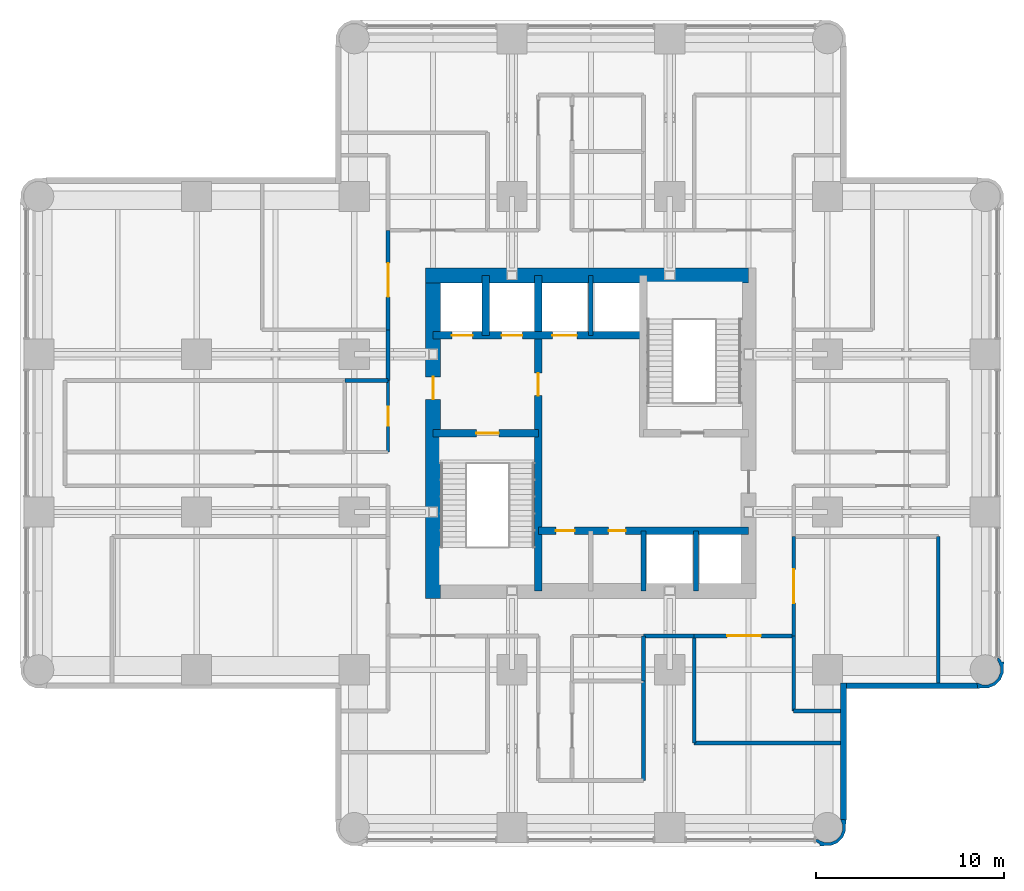
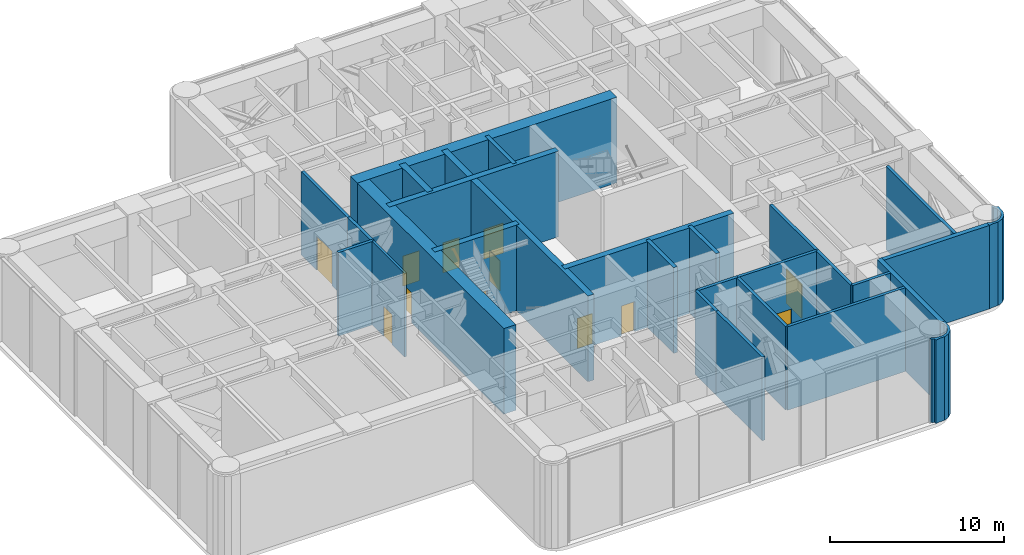
# One storey, part 8 of 12: 28 walls, 12 doors, 12 openings.
"""IFC4 building model written with IfcOpenShell, lengths in metres."""

from ifc_helpers import new_model, si_unit, direction, frame, frame_2d, origin, place, context, subcontext, project, spatial, polyline, rectangle, outline, extrude, material, layer, layer_set, type_object, element, fill, save


model = new_model("IFC4")

# Units and contexts
model_context = context("Model", 3, precision=1e-05, world=origin(), true_north=direction((0.0, 1.0)))
body_context = subcontext(model_context, "Body", "Model", "MODEL_VIEW")
ifc_project = project(units=[si_unit("LENGTHUNIT", "METRE"), si_unit("AREAUNIT", "SQUARE_METRE"), si_unit("VOLUMEUNIT", "CUBIC_METRE"), si_unit("PLANEANGLEUNIT", "RADIAN"), si_unit("MASSUNIT", "GRAM", prefix="KILO")], contexts=[model_context])

# Site, building, storey
site_placement = place(None, origin())
site = spatial("IfcSite", under=ifc_project, at=site_placement, CompositionType="ELEMENT")
building_placement = place(site_placement, origin())
building = spatial("IfcBuilding", under=site, at=building_placement, Name="Torre Alcanfor", CompositionType="ELEMENT")
storey_placement = place(building_placement, frame((0.0, 0.0, 248.10009765625)))
storey = spatial("IfcBuildingStorey", under=building, at=storey_placement, Name="L65", CompositionType="ELEMENT", Elevation=248.10009765625)

# Wall, opening, door
ifc_material_1 = material(Name="Concrete f'c 70 MPa", Category="concrete")
ifc_layer_1 = layer(ifc_material_1, 0.39990234375)
ifc_layer_set_1 = layer_set([ifc_layer_1], Name="Core inner wall 400 f'c70")
wall_type_1 = type_object("IfcWallType", Name="Core inner wall 400 f'c70", PredefinedType="SHEAR", material=ifc_layer_set_1)
wall_1_placement = place(storey_placement, frame((26.60009765625, 21.0, 0.0), z_axis=(0.0, 0.0, 1.0), x_axis=(0.0, 1.0, 0.0)))
wall_1 = element("IfcWall", 1, at=wall_1_placement, inside=storey, type_object=wall_type_1, Name="Core wall X266 L65", PredefinedType="SHEAR", context=body_context, shape_type="SweptSolid", body=[
    extrude(rectangle(XDim=16.800048828125, YDim=0.39990234375, at=frame_2d((8.39990234375, 0.0))), origin(), (0.0, 0.0, 1.0), 6.0),
])
opening_1_placement = place(wall_1_placement, frame((10.39990234375, 0.0, 0.0)))
opening_1 = element("IfcOpeningElement", 2, at=opening_1_placement, cuts=wall_1, Name="Opening D-L1", PredefinedType="OPENING", context=body_context, shape_type="SweptSolid", body=[
    extrude(rectangle(XDim=1.199951171875, YDim=2.10009765625, at=frame_2d((0.60009765625, 1.050048828125))), frame((0.0, 0.2099609375, 0.0), z_axis=(0.0, -1.0, 0.0), x_axis=(1.0, 0.0, 0.0)), (0.0, 0.0, 1.0), 0.419921875),
])
ifc_material_2 = material(Name="Galvanised steel sheet ASTM A653", Category="steel")
door_type_1 = type_object("IfcDoorType", Name="Lobby door FD120 1200x2100", OperationType="SINGLE_SWING_LEFT", PredefinedType="DOOR", material=ifc_material_2)
door_1_placement = place(opening_1_placement, origin())
door_1 = element("IfcDoor", 3, at=door_1_placement, inside=storey, type_object=door_type_1, Name="Lift lobby door L65", OperationType="SINGLE_SWING_LEFT", OverallHeight=2.10009765625, OverallWidth=1.199951171875, PredefinedType="DOOR", context=body_context, shape_type="SweptSolid", body=[
    extrude(rectangle(XDim=1.199951171875, YDim=2.10009765625, at=frame_2d((0.60009765625, 1.050048828125))), frame((0.0, 0.02490234375, 0.0), z_axis=(0.0, -1.0, 0.0), x_axis=(1.0, 0.0, 0.0)), (0.0, 0.0, 1.0), 0.050048828125),
])
fill(opening_1, door_1)

wall_2_placement = place(storey_placement, frame((21.0, 29.39990234375, 0.0), z_axis=(0.0, 0.0, 1.0), x_axis=(1.0, 0.0, 0.0)))
wall_2 = element("IfcWall", 4, at=wall_2_placement, inside=storey, type_object=wall_type_1, Name="Core wall Y294W L65", PredefinedType="SHEAR", context=body_context, shape_type="SweptSolid", body=[
    extrude(rectangle(XDim=5.60009765625, YDim=0.39990234375, at=frame_2d((2.800048828125, 0.0))), origin(), (0.0, 0.0, 1.0), 6.0),
])
opening_2_placement = place(wall_2_placement, frame((2.300048828125, 0.0, 0.0)))
opening_2 = element("IfcOpeningElement", 5, at=opening_2_placement, cuts=wall_2, Name="Opening D-S2", PredefinedType="OPENING", context=body_context, shape_type="SweptSolid", body=[
    extrude(rectangle(XDim=1.199951171875, YDim=2.10009765625, at=frame_2d((0.60009765625, 1.050048828125))), frame((0.0, 0.2099609375, 0.0), z_axis=(0.0, -1.0, 0.0), x_axis=(1.0, 0.0, 0.0)), (0.0, 0.0, 1.0), 0.419921875),
])
ifc_material_3 = material(Name="Galvanised steel sheet ASTM A653", Category="steel")
door_type_2 = type_object("IfcDoorType", Name="Stair enclosure door FD120 1200x2100", OperationType="SINGLE_SWING_LEFT", PredefinedType="DOOR", material=ifc_material_3)
door_2_placement = place(opening_2_placement, frame((1.199951171875, 0.0, 0.0), z_axis=(0.0, 0.0, 1.0), x_axis=(-1.0, 0.0, 0.0)))
door_2 = element("IfcDoor", 6, at=door_2_placement, inside=storey, type_object=door_type_2, Name="Stair S1 door L65", OperationType="SINGLE_SWING_LEFT", OverallHeight=2.10009765625, OverallWidth=1.199951171875, PredefinedType="DOOR", context=body_context, shape_type="SweptSolid", body=[
    extrude(rectangle(XDim=1.199951171875, YDim=2.10009765625, at=frame_2d((0.599853515625, 1.050048828125))), frame((0.0, 0.025146484375, 0.0), z_axis=(0.0, -1.0, 0.0), x_axis=(1.0, 0.0, 0.0)), (0.0, 0.0, 1.0), 0.050048828125),
])
fill(opening_2, door_2)

# Wall, openings, doors
wall_3_placement = place(storey_placement, frame((21.0, 34.60009765625, 0.0), z_axis=(0.0, 0.0, 1.0), x_axis=(1.0, 0.0, 0.0)))
wall_3 = element("IfcWall", 7, at=wall_3_placement, inside=storey, type_object=wall_type_1, Name="Core wall Y346 L65", PredefinedType="SHEAR", context=body_context, shape_type="SweptSolid", body=[
    extrude(rectangle(XDim=11.199951171875, YDim=0.39990234375, at=frame_2d((5.60009765625, 0.0))), origin(), (0.0, 0.0, 1.0), 6.0),
])
opening_3_placement = place(wall_3_placement, frame((1.0, 0.0, 0.0)))
opening_3 = element("IfcOpeningElement", 8, at=opening_3_placement, cuts=wall_3, Name="Opening LD2", PredefinedType="OPENING", context=body_context, shape_type="SweptSolid", body=[
    extrude(rectangle(XDim=1.10009765625, YDim=2.10009765625, at=frame_2d((0.550048828125, 1.050048828125))), frame((0.0, 0.2099609375, 0.0), z_axis=(0.0, -1.0, 0.0), x_axis=(1.0, 0.0, 0.0)), (0.0, 0.0, 1.0), 0.419921875),
])
opening_4_placement = place(wall_3_placement, frame((3.64990234375, 0.0, 0.0)))
opening_4 = element("IfcOpeningElement", 9, at=opening_4_placement, cuts=wall_3, Name="Opening LD2", PredefinedType="OPENING", context=body_context, shape_type="SweptSolid", body=[
    extrude(rectangle(XDim=1.10009765625, YDim=2.10009765625, at=frame_2d((0.550048828125, 1.050048828125))), frame((0.0, 0.2099609375, 0.0), z_axis=(0.0, -1.0, 0.0), x_axis=(1.0, 0.0, 0.0)), (0.0, 0.0, 1.0), 0.419921875),
])
opening_5_placement = place(wall_3_placement, frame((6.35009765625, 0.0, 0.0)))
opening_5 = element("IfcOpeningElement", 10, at=opening_5_placement, cuts=wall_3, Name="Opening LD3", PredefinedType="OPENING", context=body_context, shape_type="SweptSolid", body=[
    extrude(rectangle(XDim=1.300048828125, YDim=2.10009765625, at=frame_2d((0.64990234375, 1.050048828125))), frame((0.0, 0.2099609375, 0.0), z_axis=(0.0, -1.0, 0.0), x_axis=(1.0, 0.0, 0.0)), (0.0, 0.0, 1.0), 0.419921875),
])
ifc_material_4 = material(Name="Galvanised steel sheet ASTM A653", Category="steel")
door_type_3 = type_object("IfcDoorType", Name="Firefighting lift landing door 1100x2100", OperationType="DOUBLE_DOOR_SLIDING", PredefinedType="DOOR", material=ifc_material_4)
door_3_placement = place(opening_3_placement, origin())
door_3 = element("IfcDoor", 11, at=door_3_placement, inside=storey, type_object=door_type_3, Name="Lift landing door FL1 L65", OperationType="DOUBLE_DOOR_SLIDING", OverallHeight=2.10009765625, OverallWidth=1.10009765625, PredefinedType="DOOR", context=body_context, shape_type="SweptSolid", body=[
    extrude(rectangle(XDim=1.10009765625, YDim=2.10009765625, at=frame_2d((0.550048828125, 1.050048828125))), frame((0.0, 0.02490234375, 0.0), z_axis=(0.0, -1.0, 0.0), x_axis=(1.0, 0.0, 0.0)), (0.0, 0.0, 1.0), 0.050048828125),
])
fill(opening_3, door_3)
door_4_placement = place(opening_4_placement, origin())
door_4 = element("IfcDoor", 12, at=door_4_placement, inside=storey, type_object=door_type_3, Name="Lift landing door FL2 L65", OperationType="DOUBLE_DOOR_SLIDING", OverallHeight=2.10009765625, OverallWidth=1.10009765625, PredefinedType="DOOR", context=body_context, shape_type="SweptSolid", body=[
    extrude(rectangle(XDim=1.10009765625, YDim=2.10009765625, at=frame_2d((0.550048828125, 1.050048828125))), frame((0.0, 0.02490234375, 0.0), z_axis=(0.0, -1.0, 0.0), x_axis=(1.0, 0.0, 0.0)), (0.0, 0.0, 1.0), 0.050048828125),
])
fill(opening_4, door_4)
ifc_material_5 = material(Name="Galvanised steel sheet ASTM A653", Category="steel")
door_type_4 = type_object("IfcDoorType", Name="Service lift landing door 1300x2100", OperationType="DOUBLE_DOOR_SLIDING", PredefinedType="DOOR", material=ifc_material_5)
door_5_placement = place(opening_5_placement, origin())
door_5 = element("IfcDoor", 13, at=door_5_placement, inside=storey, type_object=door_type_4, Name="Lift landing door SL1 L65", OperationType="DOUBLE_DOOR_SLIDING", OverallHeight=2.10009765625, OverallWidth=1.300048828125, PredefinedType="DOOR", context=body_context, shape_type="SweptSolid", body=[
    extrude(rectangle(XDim=1.300048828125, YDim=2.10009765625, at=frame_2d((0.64990234375, 1.050048828125))), frame((0.0, 0.02490234375, 0.0), z_axis=(0.0, -1.0, 0.0), x_axis=(1.0, 0.0, 0.0)), (0.0, 0.0, 1.0), 0.050048828125),
])
fill(opening_5, door_5)

# Wall
wall_4_placement = place(storey_placement, frame((23.800048828125, 34.60009765625, 0.0), z_axis=(0.0, 0.0, 1.0), x_axis=(0.0, 1.0, 0.0)))
element("IfcWall", 14, at=wall_4_placement, inside=storey, type_object=wall_type_1, Name="Core wall X238 L65", PredefinedType="SHEAR", context=body_context, shape_type="SweptSolid", body=[
    extrude(rectangle(XDim=3.199951171875, YDim=0.39990234375, at=frame_2d((1.60009765625, 0.0))), origin(), (0.0, 0.0, 1.0), 6.0),
])

# Wall, openings, doors
wall_5_placement = place(storey_placement, frame((26.60009765625, 24.199951171875, 0.0), z_axis=(0.0, 0.0, 1.0), x_axis=(1.0, 0.0, 0.0)))
wall_5 = element("IfcWall", 15, at=wall_5_placement, inside=storey, type_object=wall_type_1, Name="Core wall Y242 L65", PredefinedType="SHEAR", context=body_context, shape_type="SweptSolid", body=[
    extrude(rectangle(XDim=11.199951171875, YDim=0.39990234375, at=frame_2d((5.60009765625, 0.0))), origin(), (0.0, 0.0, 1.0), 6.0),
])
opening_6_placement = place(wall_5_placement, frame((0.9375, 0.0, 0.0)))
opening_6 = element("IfcOpeningElement", 16, at=opening_6_placement, cuts=wall_5, Name="Opening D-K1", PredefinedType="OPENING", context=body_context, shape_type="SweptSolid", body=[
    extrude(rectangle(XDim=1.0, YDim=2.10009765625, at=frame_2d((0.5, 1.050048828125))), frame((0.0, 0.2099609375, 0.0), z_axis=(0.0, -1.0, 0.0), x_axis=(1.0, 0.0, 0.0)), (0.0, 0.0, 1.0), 0.419921875),
])
opening_7_placement = place(wall_5_placement, frame((3.75, 0.0, 0.0)))
opening_7 = element("IfcOpeningElement", 17, at=opening_7_placement, cuts=wall_5, Name="Opening D-Q1", PredefinedType="OPENING", context=body_context, shape_type="SweptSolid", body=[
    extrude(rectangle(XDim=0.89990234375, YDim=2.10009765625, at=frame_2d((0.449951171875, 1.050048828125))), frame((0.0, 0.2099609375, 0.0), z_axis=(0.0, -1.0, 0.0), x_axis=(1.0, 0.0, 0.0)), (0.0, 0.0, 1.0), 0.419921875),
])
ifc_material_6 = material(Name="Galvanised steel sheet ASTM A653", Category="steel")
door_type_5 = type_object("IfcDoorType", Name="Core room door FD60 1000x2100", OperationType="SINGLE_SWING_LEFT", PredefinedType="DOOR", material=ifc_material_6)
door_6_placement = place(opening_6_placement, frame((1.0, 0.0, 0.0), z_axis=(0.0, 0.0, 1.0), x_axis=(-1.0, 0.0, 0.0)))
door_6 = element("IfcDoor", 18, at=door_6_placement, inside=storey, type_object=door_type_5, Name="Refuge store door L65", OperationType="SINGLE_SWING_RIGHT", OverallHeight=2.10009765625, OverallWidth=1.0, PredefinedType="DOOR", context=body_context, shape_type="SweptSolid", body=[
    extrude(rectangle(XDim=1.0, YDim=2.10009765625, at=frame_2d((0.5, 1.050048828125))), frame((0.0, 0.025146484375, 0.0), z_axis=(0.0, -1.0, 0.0), x_axis=(1.0, 0.0, 0.0)), (0.0, 0.0, 1.0), 0.050048828125),
])
fill(opening_6, door_6)
ifc_material_7 = material(Name="Galvanised steel sheet ASTM A653", Category="steel")
door_type_6 = type_object("IfcDoorType", Name="Riser access door FD120 900x2100", OperationType="SINGLE_SWING_LEFT", PredefinedType="DOOR", material=ifc_material_7)
door_7_placement = place(opening_7_placement, frame((0.89990234375, 0.0, 0.0), z_axis=(0.0, 0.0, 1.0), x_axis=(-1.0, 0.0, 0.0)))
door_7 = element("IfcDoor", 19, at=door_7_placement, inside=storey, type_object=door_type_6, Name="Riser door L65", OperationType="SINGLE_SWING_RIGHT", OverallHeight=2.10009765625, OverallWidth=0.89990234375, PredefinedType="DOOR", context=body_context, shape_type="SweptSolid", body=[
    extrude(rectangle(XDim=0.89990234375, YDim=2.10009765625, at=frame_2d((0.449951171875, 1.050048828125))), frame((0.0, 0.025146484375, 0.0), z_axis=(0.0, -1.0, 0.0), x_axis=(1.0, 0.0, 0.0)), (0.0, 0.0, 1.0), 0.050048828125),
])
fill(opening_7, door_7)

# Walls
ifc_material_8 = material(Name="Concrete f'c 70 MPa", Category="concrete")
ifc_layer_2 = layer(ifc_material_8, 0.25)
ifc_layer_set_2 = layer_set([ifc_layer_2], Name="Core shaft wall 250 f'c70")
wall_type_2 = type_object("IfcWallType", Name="Core shaft wall 250 f'c70", PredefinedType="SHEAR", material=ifc_layer_set_2)
for number, where, z_axis, x_axis, name in (
    (20, (32.199951171875, 21.0, 0.0), (0.0, 0.0, 1.0), (0.0, 1.0, 0.0), "Core wall X322S L65"),
    (21, (35.0, 21.0, 0.0), (0.0, 0.0, 1.0), (0.0, 1.0, 0.0), "Core wall X350S L65"),
    (22, (29.39990234375, 34.60009765625, 0.0), (0.0, 0.0, 1.0), (0.0, 1.0, 0.0), "Core wall X294N L65"),
):
    element("IfcWall", number, at=place(storey_placement, frame(where, z_axis=z_axis, x_axis=x_axis)), inside=storey, type_object=wall_type_2, Name=name, PredefinedType="SHEAR", context=body_context, shape_type="SweptSolid", body=[
        extrude(rectangle(XDim=3.199951171875, YDim=0.25, at=frame_2d((1.60009765625, 0.0))), origin(), (0.0, 0.0, 1.0), 6.0),
    ])
ifc_material_9 = material(Name="Concrete f'c 70 MPa", Category="concrete")
ifc_layer_3 = layer(ifc_material_9, 0.800048828125)
ifc_layer_set_3 = layer_set([ifc_layer_3], Name="Core wall 800 f'c70")
wall_type_3 = type_object("IfcWallType", Name="Core wall 800 f'c70", PredefinedType="SHEAR", material=ifc_layer_set_3)
wall_6_placement = place(storey_placement, frame((37.800048828125, 37.800048828125, 0.0), z_axis=(0.0, 0.0, 1.0), x_axis=(-1.0, 0.0, 0.0)))
element("IfcWall", 23, at=wall_6_placement, inside=storey, type_object=wall_type_3, Name="Core wall OUT-N L65", PredefinedType="SHEAR", context=body_context, shape_type="SweptSolid", body=[
    extrude(rectangle(XDim=17.199951171875, YDim=0.800048828125, at=frame_2d((8.60009765625, 0.0))), origin(), (0.0, 0.0, 1.0), 6.0),
])

# Wall, opening, door
wall_7_placement = place(storey_placement, frame((21.0, 37.800048828125, 0.0), z_axis=(0.0, 0.0, 1.0), x_axis=(0.0, -1.0, 0.0)))
wall_7 = element("IfcWall", 24, at=wall_7_placement, inside=storey, type_object=wall_type_3, Name="Core wall OUT-W L65", PredefinedType="SHEAR", context=body_context, shape_type="SweptSolid", body=[
    extrude(rectangle(XDim=17.199951171875, YDim=0.800048828125, at=frame_2d((8.60009765625, 0.0))), origin(), (0.0, 0.0, 1.0), 6.0),
])
opening_8_placement = place(wall_7_placement, frame((5.39990234375, 0.0, 0.0)))
opening_8 = element("IfcOpeningElement", 25, at=opening_8_placement, cuts=wall_7, Name="Opening D-L1", PredefinedType="OPENING", context=body_context, shape_type="SweptSolid", body=[
    extrude(rectangle(XDim=1.199951171875, YDim=2.10009765625, at=frame_2d((0.60009765625, 1.050048828125))), frame((0.0, 0.409912109375, 0.0), z_axis=(0.0, -1.0, 0.0), x_axis=(1.0, 0.0, 0.0)), (0.0, 0.0, 1.0), 0.820068359375),
])
door_8_placement = place(opening_8_placement, origin())
door_8 = element("IfcDoor", 26, at=door_8_placement, inside=storey, type_object=door_type_1, Name="Firefighting lobby door L65", OperationType="SINGLE_SWING_LEFT", OverallHeight=2.10009765625, OverallWidth=1.199951171875, PredefinedType="DOOR", context=body_context, shape_type="SweptSolid", body=[
    extrude(rectangle(XDim=1.199951171875, YDim=2.10009765625, at=frame_2d((0.60009765625, 1.050048828125))), frame((0.0, 0.02490234375, 0.0), z_axis=(0.0, -1.0, 0.0), x_axis=(1.0, 0.0, 0.0)), (0.0, 0.0, 1.0), 0.050048828125),
])
fill(opening_8, door_8)

# Walls
ifc_material_10 = material(Name="Limestone cladding", Category="masonry")
ifc_layer_4 = layer(ifc_material_10, 0.0400390625, Name="Facing")
ifc_material_11 = material(Name="Ventilated air cavity")
ifc_layer_5 = layer(ifc_material_11, 0.02001953125, ventilated=True, Name="Ventilated joint")
ifc_material_12 = material(Name="Mineral wool insulation", Category="insulation")
ifc_layer_6 = layer(ifc_material_12, 0.10009765625, Name="Insulation")
ifc_material_13 = material(Name="Concrete f'c 35 MPa", Category="concrete")
ifc_layer_7 = layer(ifc_material_13, 0.139892578125, Name="Backing")
ifc_layer_set_4 = layer_set([ifc_layer_4, ifc_layer_5, ifc_layer_6, ifc_layer_7], Name="External wall stone-clad 300")
wall_type_4 = type_object("IfcWallType", Name="External wall stone-clad 300", PredefinedType="SOLIDWALL", material=ifc_layer_set_4)
wall_8_placement = place(storey_placement, frame((42.85009765625, 8.800048828125, 0.0), z_axis=(0.0, 0.0, 1.0), x_axis=(0.0, 1.0, 0.0)))
element("IfcWall", 27, at=wall_8_placement, inside=storey, type_object=wall_type_4, Name="External wall L65 6", PredefinedType="SOLIDWALL", context=body_context, shape_type="SweptSolid", body=[
    extrude(rectangle(XDim=7.300048828125, YDim=0.300048828125, at=frame_2d((3.64990234375, 0.0))), origin(), (0.0, 0.0, 1.0), 5.849853515625),
])
wall_9_placement = place(storey_placement, frame((43.0, 15.949951171875, 0.0), z_axis=(0.0, 0.0, 1.0), x_axis=(1.0, 0.0, 0.0)))
element("IfcWall", 28, at=wall_9_placement, inside=storey, type_object=wall_type_4, Name="External wall L65 7", PredefinedType="SOLIDWALL", context=body_context, shape_type="SweptSolid", body=[
    extrude(rectangle(XDim=7.0, YDim=0.300048828125, at=frame_2d((3.5, 0.0))), origin(), (0.0, 0.0, 1.0), 5.849853515625),
])

# Wall, opening, door
ifc_material_14 = material(Name="Concrete block masonry, hollow blocks NMX-C-404 9 MPa", Category="masonry")
ifc_layer_8 = layer(ifc_material_14, 0.199951171875)
ifc_layer_set_5 = layer_set([ifc_layer_8], Name="Plant room wall 200 EI 60")
wall_type_5 = type_object("IfcWallType", Name="Plant room wall 200 EI 60", PredefinedType="PARTITIONING", material=ifc_layer_set_5)
wall_10_placement = place(storey_placement, frame((40.199951171875, 23.89990234375, 0.0), z_axis=(0.0, 0.0, 1.0), x_axis=(0.0, -1.0, 0.0)))
wall_10 = element("IfcWall", 29, at=wall_10_placement, inside=storey, type_object=wall_type_5, Name="Partition L65-CORR / L65-E1", PredefinedType="PARTITIONING", context=body_context, shape_type="SweptSolid", body=[
    extrude(rectangle(XDim=5.2998046875, YDim=0.199951171875, at=frame_2d((2.64990234375, 0.0))), origin(), (0.0, 0.0, 1.0), 5.849853515625),
])
opening_9_placement = place(wall_10_placement, frame((1.75, 0.0, 0.0)))
opening_9 = element("IfcOpeningElement", 30, at=opening_9_placement, cuts=wall_10, Name="Opening D-P1", PredefinedType="OPENING", context=body_context, shape_type="SweptSolid", body=[
    extrude(rectangle(XDim=1.800048828125, YDim=2.39990234375, at=frame_2d((0.89990234375, 1.199951171875))), frame((0.0, 0.10986328125, 0.0), z_axis=(0.0, -1.0, 0.0), x_axis=(1.0, 0.0, 0.0)), (0.0, 0.0, 1.0), 0.219970703125),
])
ifc_material_15 = material(Name="Galvanised steel sheet ASTM A653", Category="steel")
door_type_7 = type_object("IfcDoorType", Name="Plant room door FD60 1800x2400", OperationType="DOUBLE_DOOR_SINGLE_SWING", PredefinedType="DOOR", material=ifc_material_15)
door_9_placement = place(opening_9_placement, origin())
door_9 = element("IfcDoor", 31, at=door_9_placement, inside=storey, type_object=door_type_7, Name="Door L65-E1 booster pump room", OperationType="DOUBLE_DOOR_SINGLE_SWING", OverallHeight=2.39990234375, OverallWidth=1.800048828125, PredefinedType="DOOR", context=body_context, shape_type="SweptSolid", body=[
    extrude(rectangle(XDim=1.800048828125, YDim=2.39990234375, at=frame_2d((0.89990234375, 1.199951171875))), frame((0.0, 0.02490234375, 0.0), z_axis=(0.0, -1.0, 0.0), x_axis=(1.0, 0.0, 0.0)), (0.0, 0.0, 1.0), 0.050048828125),
])
fill(opening_9, door_9)

wall_11_placement = place(storey_placement, frame((40.199951171875, 18.60009765625, 0.0), z_axis=(0.0, 0.0, 1.0), x_axis=(-1.0, 0.0, 0.0)))
wall_11 = element("IfcWall", 32, at=wall_11_placement, inside=storey, type_object=wall_type_5, Name="Partition L65-CORR / L65-S2", PredefinedType="PARTITIONING", context=body_context, shape_type="SweptSolid", body=[
    extrude(rectangle(XDim=5.300048828125, YDim=0.199951171875, at=frame_2d((2.64990234375, 0.0))), origin(), (0.0, 0.0, 1.0), 5.849853515625),
])
opening_10_placement = place(wall_11_placement, frame((1.75, 0.0, 0.0)))
opening_10 = element("IfcOpeningElement", 33, at=opening_10_placement, cuts=wall_11, Name="Opening D-P1", PredefinedType="OPENING", context=body_context, shape_type="SweptSolid", body=[
    extrude(rectangle(XDim=1.800048828125, YDim=2.39990234375, at=frame_2d((0.89990234375, 1.199951171875))), frame((0.0, 0.10986328125, 0.0), z_axis=(0.0, -1.0, 0.0), x_axis=(1.0, 0.0, 0.0)), (0.0, 0.0, 1.0), 0.219970703125),
])
door_10_placement = place(opening_10_placement, origin())
door_10 = element("IfcDoor", 34, at=door_10_placement, inside=storey, type_object=door_type_7, Name="Door L65-S2 stair pressurisation fan plant room", OperationType="DOUBLE_DOOR_SINGLE_SWING", OverallHeight=2.39990234375, OverallWidth=1.800048828125, PredefinedType="DOOR", context=body_context, shape_type="SweptSolid", body=[
    extrude(rectangle(XDim=1.800048828125, YDim=2.39990234375, at=frame_2d((0.89990234375, 1.199951171875))), frame((0.0, 0.02490234375, 0.0), z_axis=(0.0, -1.0, 0.0), x_axis=(1.0, 0.0, 0.0)), (0.0, 0.0, 1.0), 0.050048828125),
])
fill(opening_10, door_10)

# Wall
wall_12_placement = place(storey_placement, frame((34.89990234375, 18.60009765625, 0.0), z_axis=(0.0, 0.0, 1.0), x_axis=(-1.0, 0.0, 0.0)))
element("IfcWall", 35, at=wall_12_placement, inside=storey, type_object=wall_type_5, Name="Partition L65-CORR / L65-SH", PredefinedType="PARTITIONING", context=body_context, shape_type="SweptSolid", body=[
    extrude(rectangle(XDim=2.699951171875, YDim=0.199951171875, at=frame_2d((1.35009765625, 0.0))), origin(), (0.0, 0.0, 1.0), 5.849853515625),
])

# Wall, opening, door
wall_13_placement = place(storey_placement, frame((18.60009765625, 34.89990234375, 0.0), z_axis=(0.0, 0.0, 1.0), x_axis=(0.0, 1.0, 0.0)))
wall_13 = element("IfcWall", 36, at=wall_13_placement, inside=storey, type_object=wall_type_5, Name="Partition L65-CORR / L65-W2", PredefinedType="PARTITIONING", context=body_context, shape_type="SweptSolid", body=[
    extrude(rectangle(XDim=5.300048828125, YDim=0.199951171875, at=frame_2d((2.64990234375, 0.0))), origin(), (0.0, 0.0, 1.0), 5.849853515625),
])
opening_11_placement = place(wall_13_placement, frame((1.75, 0.0, 0.0)))
opening_11 = element("IfcOpeningElement", 37, at=opening_11_placement, cuts=wall_13, Name="Opening D-P1", PredefinedType="OPENING", context=body_context, shape_type="SweptSolid", body=[
    extrude(rectangle(XDim=1.800048828125, YDim=2.39990234375, at=frame_2d((0.89990234375, 1.199951171875))), frame((0.0, 0.10986328125, 0.0), z_axis=(0.0, -1.0, 0.0), x_axis=(1.0, 0.0, 0.0)), (0.0, 0.0, 1.0), 0.219970703125),
])
door_11_placement = place(opening_11_placement, origin())
door_11 = element("IfcDoor", 38, at=door_11_placement, inside=storey, type_object=door_type_7, Name="Door L65-W2 booster pump room", OperationType="DOUBLE_DOOR_SINGLE_SWING", OverallHeight=2.39990234375, OverallWidth=1.800048828125, PredefinedType="DOOR", context=body_context, shape_type="SweptSolid", body=[
    extrude(rectangle(XDim=1.800048828125, YDim=2.39990234375, at=frame_2d((0.89990234375, 1.199951171875))), frame((0.0, 0.02490234375, 0.0), z_axis=(0.0, -1.0, 0.0), x_axis=(1.0, 0.0, 0.0)), (0.0, 0.0, 1.0), 0.050048828125),
])
fill(opening_11, door_11)

# Walls
wall_14_placement = place(storey_placement, frame((18.60009765625, 32.199951171875, 0.0), z_axis=(0.0, 0.0, 1.0), x_axis=(0.0, 1.0, 0.0)))
element("IfcWall", 39, at=wall_14_placement, inside=storey, type_object=wall_type_5, Name="Partition L65-CORR / L65-WH", PredefinedType="PARTITIONING", context=body_context, shape_type="SweptSolid", body=[
    extrude(rectangle(XDim=2.699951171875, YDim=0.199951171875, at=frame_2d((1.35009765625, 0.0))), origin(), (0.0, 0.0, 1.0), 5.849853515625),
])
wall_15_placement = place(storey_placement, frame((47.89990234375, 23.89990234375, 0.0), z_axis=(0.0, 0.0, 1.0), x_axis=(0.0, -1.0, 0.0)))
element("IfcWall", 40, at=wall_15_placement, inside=storey, type_object=wall_type_5, Name="Partition L65-E1 / L65-EH", PredefinedType="PARTITIONING", context=body_context, shape_type="SweptSolid", body=[
    extrude(rectangle(XDim=7.7998046875, YDim=0.199951171875, at=frame_2d((3.89990234375, 0.0))), origin(), (0.0, 0.0, 1.0), 5.849853515625),
])
wall_16_placement = place(storey_placement, frame((42.699951171875, 14.60009765625, 0.0), z_axis=(0.0, 0.0, 1.0), x_axis=(-1.0, 0.0, 0.0)))
element("IfcWall", 41, at=wall_16_placement, inside=storey, type_object=wall_type_5, Name="Partition L65-E1 / L65-S2", PredefinedType="PARTITIONING", context=body_context, shape_type="SweptSolid", body=[
    extrude(rectangle(XDim=2.5, YDim=0.199951171875, at=frame_2d((1.25, 0.0))), origin(), (0.0, 0.0, 1.0), 5.849853515625),
])
wall_17_placement = place(storey_placement, frame((40.199951171875, 14.60009765625, 0.0), z_axis=(0.0, 0.0, 1.0), x_axis=(0.0, 1.0, 0.0)))
element("IfcWall", 42, at=wall_17_placement, inside=storey, type_object=wall_type_5, Name="Partition L65-E1 / L65-S2", PredefinedType="PARTITIONING", context=body_context, shape_type="SweptSolid", body=[
    extrude(rectangle(XDim=4.0, YDim=0.199951171875, at=frame_2d((2.0, 0.0))), origin(), (0.0, 0.0, 1.0), 5.849853515625),
])
wall_18_placement = place(storey_placement, frame((42.699951171875, 12.89990234375, 0.0), z_axis=(0.0, 0.0, 1.0), x_axis=(-1.0, 0.0, 0.0)))
element("IfcWall", 43, at=wall_18_placement, inside=storey, type_object=wall_type_5, Name="Partition L65-S2 / L65-SH", PredefinedType="PARTITIONING", context=body_context, shape_type="SweptSolid", body=[
    extrude(rectangle(XDim=7.800048828125, YDim=0.199951171875, at=frame_2d((3.89990234375, 0.0))), origin(), (0.0, 0.0, 1.0), 5.849853515625),
])
wall_19_placement = place(storey_placement, frame((34.89990234375, 12.89990234375, 0.0), z_axis=(0.0, 0.0, 1.0), x_axis=(0.0, 1.0, 0.0)))
element("IfcWall", 44, at=wall_19_placement, inside=storey, type_object=wall_type_5, Name="Partition L65-S2 / L65-SH", PredefinedType="PARTITIONING", context=body_context, shape_type="SweptSolid", body=[
    extrude(rectangle(XDim=5.7001953125, YDim=0.199951171875, at=frame_2d((2.85009765625, 0.0))), origin(), (0.0, 0.0, 1.0), 5.849853515625),
])
wall_20_placement = place(storey_placement, frame((32.199951171875, 18.60009765625, 0.0), z_axis=(0.0, 0.0, 1.0), x_axis=(0.0, -1.0, 0.0)))
element("IfcWall", 45, at=wall_20_placement, inside=storey, type_object=wall_type_5, Name="Partition L65-S3 / L65-SH", PredefinedType="PARTITIONING", context=body_context, shape_type="SweptSolid", body=[
    extrude(rectangle(XDim=2.400146484375, YDim=0.199951171875, at=frame_2d((1.2001953125, 0.0))), origin(), (0.0, 0.0, 1.0), 5.849853515625),
])
wall_21_placement = place(storey_placement, frame((32.199951171875, 16.199951171875, 0.0), z_axis=(0.0, 0.0, 1.0), x_axis=(0.0, -1.0, 0.0)))
element("IfcWall", 46, at=wall_21_placement, inside=storey, type_object=wall_type_5, Name="Partition L65-S4 / L65-SH", PredefinedType="PARTITIONING", context=body_context, shape_type="SweptSolid", body=[
    extrude(rectangle(XDim=5.300048828125, YDim=0.199951171875, at=frame_2d((2.64990234375, 0.0))), origin(), (0.0, 0.0, 1.0), 5.849853515625),
])
wall_22_placement = place(storey_placement, frame((16.300048828125, 32.199951171875, 0.0), z_axis=(0.0, 0.0, 1.0), x_axis=(1.0, 0.0, 0.0)))
element("IfcWall", 47, at=wall_22_placement, inside=storey, type_object=wall_type_5, Name="Partition L65-WW / L65-WH", PredefinedType="PARTITIONING", context=body_context, shape_type="SweptSolid", body=[
    extrude(rectangle(XDim=2.300048828125, YDim=0.199951171875, at=frame_2d((1.14990234375, 0.0))), origin(), (0.0, 0.0, 1.0), 5.849853515625),
])
ifc_layer_9 = layer(ifc_material_10, 0.0400390625, Name="Facing")
ifc_layer_10 = layer(ifc_material_11, 0.02001953125, ventilated=True, Name="Ventilated joint")
ifc_layer_11 = layer(ifc_material_12, 0.10009765625, Name="Insulation")
ifc_layer_12 = layer(ifc_material_13, 0.139892578125, Name="Backing")
ifc_layer_set_6 = layer_set([ifc_layer_9, ifc_layer_10, ifc_layer_11, ifc_layer_12], Name="Rounded corner pier stone-clad 300")
wall_type_6 = type_object("IfcWallType", Name="Rounded corner pier stone-clad 300", PredefinedType="SOLIDWALL", material=ifc_layer_set_6)
wall_23_placement = place(storey_placement, frame((41.423187819, 7.735404101, 0.0), z_axis=(0.0, 0.0, 1.0), x_axis=(0.34958262992, -0.936905536785, 0.0)))
element("IfcWall", 48, at=wall_23_placement, inside=storey, type_object=wall_type_6, Name="Corner pier L65 16", PredefinedType="SOLIDWALL", context=body_context, shape_type="SweptSolid", body=[
    extrude(outline(polyline([(-0.44624539042884215, 1.8495053664874985), (-0.5881925948064233, 1.5822142242360944), (-0.569436185134458, 1.5752157438519583), (-0.5583680445176135, 1.5692618735190962), (-0.2902690681911993, 1.578932494031281), (0.008232329637026858, 1.4675542391374072), (0.24150048027978377, 1.2504857541425443), (0.3737635321368823, 0.9603574622955509), (0.38497427705203413, 0.6419126845385519), (0.2736813694799183, 0.34364002341364225), (0.056612884485055026, 0.11037187277088532), (0.019151538179442956, 0.09307979966206066), (-0.032568938805758146, -0.04553464254782826), (0.039483122738986104, -0.07241904890152191), (0.1513823829872324, -0.02114369236324013), (0.24445660284575582, 0.07884885639530696), (0.37617806013315436, 0.04846221938909674), (0.4448373090558745, 0.3470076390832796), (0.5452057594429974, 0.6160020021836581), (0.5315193540962847, 0.9976495842091119), (0.3729306980921515, 1.345026515941405), (0.09352920753249133, 1.6053666811680372), (-0.17546515556788722, 1.7057351315551599), (-0.44624539042884215, 1.8495053664874985)])), origin(), (0.0, 0.0, 1.0), 5.849853515625),
])
wall_24_placement = place(storey_placement, frame((50.073176205, 15.982940512, 0.0), z_axis=(0.0, 0.0, 1.0), x_axis=(0.936905536785, -0.34958262992, 0.0)))
element("IfcWall", 49, at=wall_24_placement, inside=storey, type_object=wall_type_6, Name="Corner pier L65 17", PredefinedType="SOLIDWALL", context=body_context, shape_type="SweptSolid", body=[
    extrude(outline(polyline([(0.8175712780727424, 1.604024438330776), (0.6860785574886605, 1.5737231486463232), (0.593004337630137, 1.6737156974048704), (0.4808763406785743, 1.7249057066213944), (0.4090530158371467, 1.6981066475894586), (0.4608588401441055, 1.559263468676253), (0.49823483912795985, 1.542200132270745), (0.715303324122823, 1.308931981627988), (0.8266815790166967, 1.0104305837997618), (0.8154708341015449, 0.6919858060427628), (0.6831224349226886, 0.4020862508990861), (0.4498542842799316, 0.18501776590422286), (0.15135288645170547, 0.0736395110103492), (-0.11674608987470861, 0.08331013152253422), (-0.12804296719487002, 0.07727091386791429), (-0.14657064016351853, 0.07035778080553592), (-0.0046234357859374076, -0.19693336144586826), (0.26592806237170097, -0.05324847383528744), (0.5351511621753962, 0.04720532387359325), (0.8146380000568141, 0.3073167523969087), (0.9732266560609473, 0.6546936841292017), (0.98691306140766, 1.0363412661546554), (0.8864592636987794, 1.3055643659583507), (0.8175712780727424, 1.604024438330776)])), origin(), (0.0, 0.0, 1.0), 5.849853515625),
])

# Wall, opening, door
ifc_material_16 = material(Name="Cement board on steel studs", Category="steel")
ifc_layer_13 = layer(ifc_material_16, 0.14990234375)
ifc_layer_set_7 = layer_set([ifc_layer_13], Name="Wet area partition 150")
wall_type_7 = type_object("IfcWallType", Name="Wet area partition 150", PredefinedType="PARTITIONING", material=ifc_layer_set_7)
wall_25_placement = place(storey_placement, frame((18.60009765625, 28.39990234375, 0.0), z_axis=(0.0, 0.0, 1.0), x_axis=(0.0, 1.0, 0.0)))
wall_25 = element("IfcWall", 50, at=wall_25_placement, inside=storey, type_object=wall_type_7, Name="Partition L65-CORR / L65-WW", PredefinedType="PARTITIONING", context=body_context, shape_type="SweptSolid", body=[
    extrude(rectangle(XDim=3.800048828125, YDim=0.14990234375, at=frame_2d((1.89990234375, 0.0))), origin(), (0.0, 0.0, 1.0), 5.849853515625),
])
opening_12_placement = place(wall_25_placement, frame((1.39990234375, 0.0, 0.0)))
opening_12 = element("IfcOpeningElement", 51, at=opening_12_placement, cuts=wall_25, Name="Opening D-W2", PredefinedType="OPENING", context=body_context, shape_type="SweptSolid", body=[
    extrude(rectangle(XDim=1.0, YDim=2.10009765625, at=frame_2d((0.5, 1.050048828125))), frame((0.0, 0.0849609375, 0.0), z_axis=(0.0, -1.0, 0.0), x_axis=(1.0, 0.0, 0.0)), (0.0, 0.0, 1.0), 0.169921875),
])
ifc_material_17 = material(Name="Timber", Category="wood")
door_type_8 = type_object("IfcDoorType", Name="Accessible WC door 1000x2100", OperationType="SINGLE_SWING_LEFT", PredefinedType="DOOR", material=ifc_material_17)
door_12_placement = place(opening_12_placement, frame((1.0, 0.0, 0.0), z_axis=(0.0, 0.0, 1.0), x_axis=(-1.0, 0.0, 0.0)))
door_12 = element("IfcDoor", 52, at=door_12_placement, inside=storey, type_object=door_type_8, Name="Door L65-WW accessible wc", OperationType="SINGLE_SWING_LEFT", OverallHeight=2.10009765625, OverallWidth=1.0, PredefinedType="DOOR", context=body_context, shape_type="SweptSolid", body=[
    extrude(rectangle(XDim=1.0, YDim=2.10009765625, at=frame_2d((0.5, 1.050048828125))), frame((0.0, 0.025146484375, 0.0), z_axis=(0.0, -1.0, 0.0), x_axis=(1.0, 0.0, 0.0)), (0.0, 0.0, 1.0), 0.050048828125),
])
fill(opening_12, door_12)

save(model, "model.ifc")
